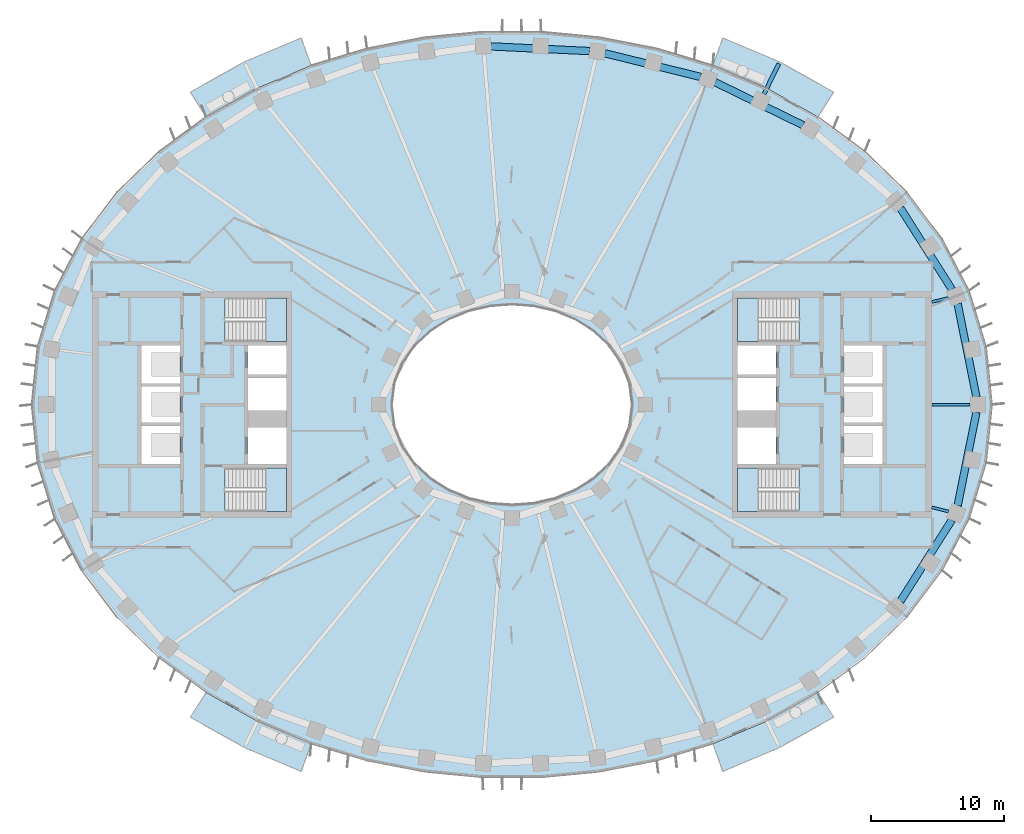
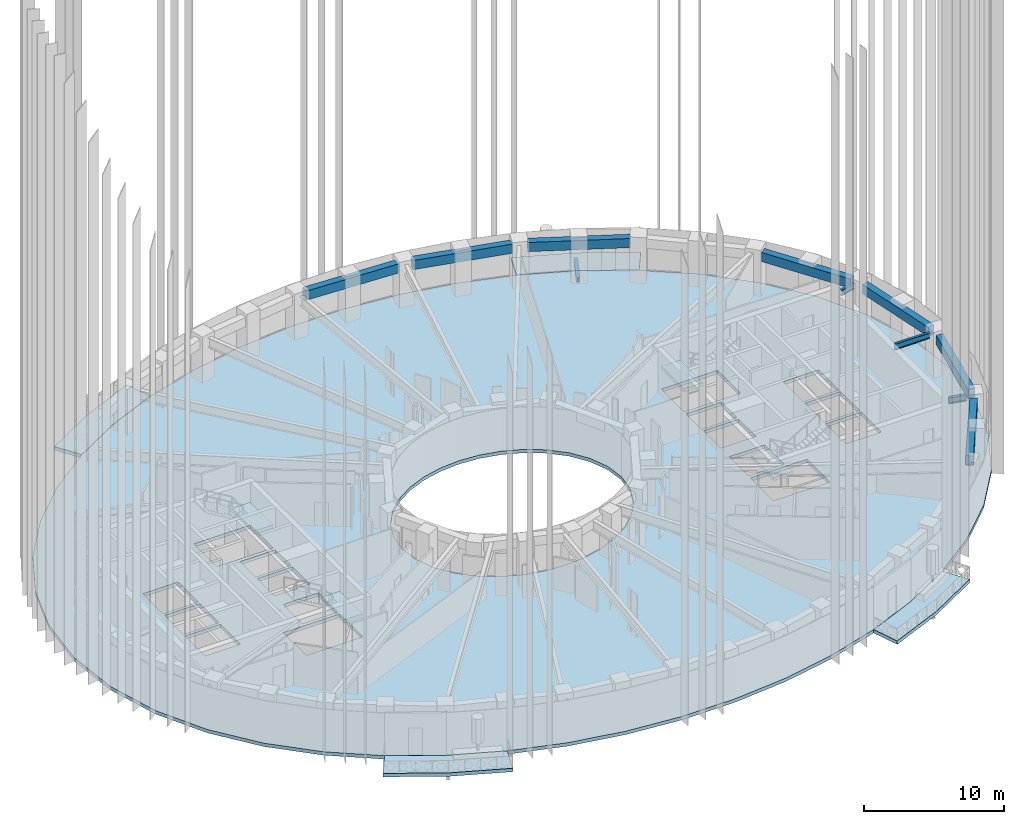
# One storey, part 2 of 19: 11 beams, 9 slabs, 4 elements without a shape of their own.
"""IFC4 building model written with IfcOpenShell, lengths in metres."""

from ifc_helpers import new_model, si_unit, direction, frame, origin, origin_2d, place, context, subcontext, project, spatial, polyline, rectangle, i_section, outline, extrude, material, layer, layer_set, material_profile, profile_set, type_object, element, aggregate, save


model = new_model("IFC4")

# Units and contexts
model_context = context("Model", 3, precision=1e-05, world=origin(), true_north=direction((0.0, 1.0)))
body_context = subcontext(model_context, "Body", "Model", "MODEL_VIEW")
ifc_project = project(units=[si_unit("LENGTHUNIT", "METRE"), si_unit("AREAUNIT", "SQUARE_METRE"), si_unit("VOLUMEUNIT", "CUBIC_METRE"), si_unit("PLANEANGLEUNIT", "RADIAN"), si_unit("MASSUNIT", "GRAM", prefix="KILO")], contexts=[model_context])

# Site, building, storey
site_placement = place(None, origin())
site = spatial("IfcSite", under=ifc_project, at=site_placement, CompositionType="ELEMENT")
building_placement = place(site_placement, origin())
building = spatial("IfcBuilding", under=site, at=building_placement, Name="Noorbagh Ring Tower", CompositionType="ELEMENT")
storey_placement = place(building_placement, frame((0.0, 0.0, 146.0)))
storey = spatial("IfcBuildingStorey", under=building, at=storey_placement, Name="L33", CompositionType="ELEMENT", Elevation=146.0)

# Beams
ifc_material_1 = material(Name="Steel S355", Category="steel")
ifc_material_profile_1 = material_profile(ifc_material_1, i_section(OverallWidth=0.300048828125, OverallDepth=0.39990234375, WebThickness=0.013427734375, FlangeThickness=0.02392578125, FilletRadius=0.027099609375, at=origin_2d()), Name="HEB400")
ifc_profile_set_1 = profile_set([ifc_material_profile_1], Name="Steel S355")
beam_type_1 = type_object("IfcBeamType", Name="STR-BALCONY-BRACKET-HEB400", PredefinedType="BEAM", material=ifc_profile_set_1)
beam_1_placement = place(storey_placement, frame((18.901123046875, 23.306396484375, -0.5), z_axis=(0.439229206399, 0.898375035409, 0.0), x_axis=(-0.898375035409, 0.439229206399, 0.0)))
element("IfcBeam", 1, at=beam_1_placement, inside=storey, type_object=beam_type_1, Name="Balcony bracket beam BN02", PredefinedType="BEAM", context=body_context, shape_type="SweptSolid", body=[
    extrude(i_section(OverallWidth=0.300048828125, OverallDepth=0.39990234375, WebThickness=0.013427734375, FlangeThickness=0.02392578125, FilletRadius=0.027099609375, at=origin_2d()), origin(), (0.0, 0.0, 1.0), 2.525146484375),
])
ifc_material_2 = material(Name="Steel S355", Category="steel")
ifc_material_profile_2 = material_profile(ifc_material_2, i_section(OverallWidth=0.199951171875, OverallDepth=0.5, WebThickness=0.01025390625, FlangeThickness=0.01611328125, FilletRadius=0.02099609375, at=origin_2d()), Name="IPE500")
ifc_profile_set_2 = profile_set([ifc_material_profile_2], Name="Steel S355")
beam_type_2 = type_object("IfcBeamType", Name="STR-RAD-IPE500", PredefinedType="BEAM", material=ifc_profile_set_2)
beam_2_placement = place(storey_placement, frame((34.36474609375, 0.0, 3.449951171875), z_axis=(-1.0, 0.0, 0.0), x_axis=(0.0, -1.0, 0.0)))
element("IfcBeam", 2, at=beam_2_placement, inside=storey, type_object=beam_type_2, Name="L33/bm/RD01", PredefinedType="BEAM", context=body_context, shape_type="SweptSolid", body=[
    extrude(i_section(OverallWidth=0.199951171875, OverallDepth=0.5, WebThickness=0.01025390625, FlangeThickness=0.01611328125, FilletRadius=0.02099609375, at=origin_2d()), origin(), (0.0, 0.0, 1.0), 2.884765625),
])
for number, where, z_axis, x_axis, name in (
    (3, (32.7353515625, 8.010009765625, 3.449951171875), (-0.971331161348, -0.237730467116, 0.0), (0.237730467116, -0.971331161348, 0.0), "L33/bm/RD03"),
    (4, (32.7353515625, -8.010009765625, 3.449951171875), (-0.971331161348, 0.237730467116, 0.0), (-0.237730467116, -0.971331161348, 0.0), "L33/bm/RD45"),
):
    element("IfcBeam", number, at=place(storey_placement, frame(where, z_axis=z_axis, x_axis=x_axis)), inside=storey, type_object=beam_type_2, Name=name, PredefinedType="BEAM", context=body_context, shape_type="SweptSolid", body=[
        extrude(i_section(OverallWidth=0.199951171875, OverallDepth=0.5, WebThickness=0.01025390625, FlangeThickness=0.01611328125, FilletRadius=0.02099609375, at=origin_2d()), origin(), (0.0, 0.0, 1.0), 1.2919921875),
    ])
ifc_material_3 = material(Name="Concrete C40/50", Category="concrete")
ifc_material_profile_3 = material_profile(ifc_material_3, rectangle(XDim=0.550048828125, YDim=0.800048828125, at=origin_2d()), Name="RC550x800")
ifc_profile_set_3 = profile_set([ifc_material_profile_3], Name="Concrete C40/50")
beam_type_3 = type_object("IfcBeamType", Name="STR-SB-RC550x800-C40-50", PredefinedType="BEAM", material=ifc_profile_set_3)
beam_3_placement = place(storey_placement, frame((34.827880859375, 0.580322265625, 3.300048828125), z_axis=(-0.19720917592, 0.980361433826, 0.0), x_axis=(-0.980361433826, -0.19720917592, 0.0)))
element("IfcBeam", 5, at=beam_3_placement, inside=storey, type_object=beam_type_3, Name="L33/bm/SP01", PredefinedType="BEAM", context=body_context, shape_type="SweptSolid", body=[
    extrude(rectangle(XDim=0.550048828125, YDim=0.800048828125, at=origin_2d()), origin(), (0.0, 0.0, 1.0), 7.12939453125),
])
beam_4_placement = place(storey_placement, frame((32.98974609375, 8.647216796875, 3.300048828125), z_axis=(-0.535190716377, 0.844731257326, 0.0), x_axis=(-0.844731257326, -0.535190716377, 0.0)))
element("IfcBeam", 6, at=beam_4_placement, inside=storey, type_object=beam_type_3, Name="L33/bm/SP03", PredefinedType="BEAM", context=body_context, shape_type="SweptSolid", body=[
    extrude(rectangle(XDim=0.550048828125, YDim=0.800048828125, at=origin_2d()), origin(), (0.0, 0.0, 1.0), 7.205810546875),
])
beam_5_placement = place(storey_placement, frame((21.837158203125, 20.95654296875, 3.300048828125), z_axis=(-0.898397175695, 0.439183918994, 0.0), x_axis=(-0.439183918994, -0.898397175695, 0.0)))
element("IfcBeam", 7, at=beam_5_placement, inside=storey, type_object=beam_type_3, Name="L33/bm/SP07", PredefinedType="BEAM", context=body_context, shape_type="SweptSolid", body=[
    extrude(rectangle(XDim=0.550048828125, YDim=0.800048828125, at=origin_2d()), origin(), (0.0, 0.0, 1.0), 7.35009765625),
])
beam_6_placement = place(storey_placement, frame((14.143310546875, 24.580810546875, 3.300048828125), z_axis=(-0.970832897369, 0.239757138341, 0.0), x_axis=(-0.239757138341, -0.970832897369, 0.0)))
element("IfcBeam", 8, at=beam_6_placement, inside=storey, type_object=beam_type_3, Name="L33/bm/SP09", PredefinedType="BEAM", context=body_context, shape_type="SweptSolid", body=[
    extrude(rectangle(XDim=0.550048828125, YDim=0.800048828125, at=origin_2d()), origin(), (0.0, 0.0, 1.0), 7.383544921875),
])
beam_7_placement = place(storey_placement, frame((5.8271484375, 26.5185546875, 3.300048828125), z_axis=(-0.9988682124, 0.047563581193, 0.0), x_axis=(-0.047563581193, -0.9988682124, 0.0)))
element("IfcBeam", 9, at=beam_7_placement, inside=storey, type_object=beam_type_3, Name="L33/bm/SP11", PredefinedType="BEAM", context=body_context, shape_type="SweptSolid", body=[
    extrude(rectangle(XDim=0.550048828125, YDim=0.800048828125, at=origin_2d()), origin(), (0.0, 0.0, 1.0), 7.396484375),
])
beam_8_placement = place(storey_placement, frame((29.13330078125, -14.734130859375, 3.300048828125), z_axis=(0.535190716377, 0.844731257326, 0.0), x_axis=(-0.844731257326, 0.535190716377, 0.0)))
element("IfcBeam", 10, at=beam_8_placement, inside=storey, type_object=beam_type_3, Name="L33/bm/SP43", PredefinedType="BEAM", context=body_context, shape_type="SweptSolid", body=[
    extrude(rectangle(XDim=0.550048828125, YDim=0.800048828125, at=origin_2d()), origin(), (0.0, 0.0, 1.0), 7.205810546875),
])
beam_9_placement = place(storey_placement, frame((33.421875, -7.56982421875, 3.300048828125), z_axis=(0.19720917592, 0.980361433826, 0.0), x_axis=(-0.980361433826, 0.19720917592, 0.0)))
element("IfcBeam", 11, at=beam_9_placement, inside=storey, type_object=beam_type_3, Name="L33/bm/SP45", PredefinedType="BEAM", context=body_context, shape_type="SweptSolid", body=[
    extrude(rectangle(XDim=0.550048828125, YDim=0.800048828125, at=origin_2d()), origin(), (0.0, 0.0, 1.0), 7.12939453125),
])

# Stair, slab
ifc_material_4 = material(Name="Concrete C40/50", Category="concrete")
stair_type = type_object("IfcStairType", Name="CORE-STAIR", PredefinedType="HALF_TURN_STAIR", material=ifc_material_4)
stair_1_placement = place(storey_placement, origin())
stair_1 = element("IfcStair", 12, at=stair_1_placement, inside=storey, type_object=stair_type, Name="L33 Exit stair ST1", PredefinedType="HALF_TURN_STAIR")
ifc_material_5 = material(Name="Concrete C40/50", Category="concrete")
ifc_layer_1 = layer(ifc_material_5, 0.300048828125)
ifc_layer_set_1 = layer_set([ifc_layer_1], Name="Concrete C40/50")
slab_type_1 = type_object("IfcSlabType", Name="CORE-STAIR-LANDING", PredefinedType="LANDING", material=ifc_layer_set_1)
slab_1_placement = place(storey_placement, frame((0.0, 0.0, 1.699951171875)))
slab_1 = element("IfcSlab", 13, at=slab_1_placement, type_object=slab_type_1, Name="ST1 landing 1", PredefinedType="LANDING", context=body_context, shape_type="SweptSolid", body=[
    extrude(outline(polyline([(-18.449951171875, 4.75), (-16.89990234375, 4.75), (-16.89990234375, 8.0), (-18.449951171875, 8.0), (-18.449951171875, 4.75)])), origin(), (0.0, 0.0, 1.0), 0.300048828125),
])
aggregate(stair_1, [slab_1])

stair_2_placement = place(storey_placement, origin())
stair_2 = element("IfcStair", 14, at=stair_2_placement, inside=storey, type_object=stair_type, Name="L33 Exit stair ST2", PredefinedType="HALF_TURN_STAIR")
slab_2_placement = place(storey_placement, frame((0.0, 0.0, 1.699951171875)))
slab_2 = element("IfcSlab", 15, at=slab_2_placement, type_object=slab_type_1, Name="ST2 landing 1", PredefinedType="LANDING", context=body_context, shape_type="SweptSolid", body=[
    extrude(outline(polyline([(-18.449951171875, -8.0), (-16.89990234375, -8.0), (-16.89990234375, -4.75), (-18.449951171875, -4.75), (-18.449951171875, -8.0)])), origin(), (0.0, 0.0, 1.0), 0.300048828125),
])
aggregate(stair_2, [slab_2])

stair_3_placement = place(storey_placement, origin())
stair_3 = element("IfcStair", 16, at=stair_3_placement, inside=storey, type_object=stair_type, Name="L33 Exit stair ST3", PredefinedType="HALF_TURN_STAIR")
slab_3_placement = place(storey_placement, frame((0.0, 0.0, 1.699951171875)))
slab_3 = element("IfcSlab", 17, at=slab_3_placement, type_object=slab_type_1, Name="ST3 landing 1", PredefinedType="LANDING", context=body_context, shape_type="SweptSolid", body=[
    extrude(outline(polyline([(18.449951171875, 8.0), (16.89990234375, 8.0), (16.89990234375, 4.75), (18.449951171875, 4.75), (18.449951171875, 8.0)])), origin(), (0.0, 0.0, 1.0), 0.300048828125),
])
aggregate(stair_3, [slab_3])

stair_4_placement = place(storey_placement, origin())
stair_4 = element("IfcStair", 18, at=stair_4_placement, inside=storey, type_object=stair_type, Name="L33 Exit stair ST4", PredefinedType="HALF_TURN_STAIR")
slab_4_placement = place(storey_placement, frame((0.0, 0.0, 1.699951171875)))
slab_4 = element("IfcSlab", 19, at=slab_4_placement, type_object=slab_type_1, Name="ST4 landing 1", PredefinedType="LANDING", context=body_context, shape_type="SweptSolid", body=[
    extrude(outline(polyline([(18.449951171875, -4.75), (16.89990234375, -4.75), (16.89990234375, -8.0), (18.449951171875, -8.0), (18.449951171875, -4.75)])), origin(), (0.0, 0.0, 1.0), 0.300048828125),
])
aggregate(stair_4, [slab_4])

# Slabs
ifc_material_6 = material(Name="Concrete C40/50", Category="concrete")
ifc_layer_2 = layer(ifc_material_6, 0.300048828125)
ifc_layer_set_2 = layer_set([ifc_layer_2], Name="Concrete C40/50")
slab_type_2 = type_object("IfcSlabType", Name="ENV-BALCONY DECK 300", PredefinedType="FLOOR", material=ifc_layer_set_2)
slab_5_placement = place(storey_placement, frame((0.0, 0.0, -0.300048828125)))
element("IfcSlab", 20, at=slab_5_placement, inside=storey, type_object=slab_type_2, Name="Tree balcony deck BN02", PredefinedType="FLOOR", context=body_context, shape_type="SweptSolid", body=[
    extrude(outline(polyline([(24.1279296875, 23.435791015625), (20.076171875, 25.709716796875), (15.810791015625, 27.50341796875), (15.0654296875, 25.430419921875), (19.108154296875, 23.730224609375), (22.9326171875, 21.583740234375), (24.1279296875, 23.435791015625)])), origin(), (0.0, 0.0, 1.0), 0.300048828125),
])
slab_6_placement = place(storey_placement, frame((0.0, 0.0, -0.300048828125)))
element("IfcSlab", 21, at=slab_6_placement, inside=storey, type_object=slab_type_2, Name="Tree balcony deck BN05", PredefinedType="FLOOR", context=body_context, shape_type="SweptSolid", body=[
    extrude(outline(polyline([(-15.810791015625, 27.50341796875), (-20.076171875, 25.709716796875), (-24.1279296875, 23.435791015625), (-22.9326171875, 21.583740234375), (-19.108154296875, 23.730224609375), (-15.0654296875, 25.430419921875), (-15.810791015625, 27.50341796875)])), origin(), (0.0, 0.0, 1.0), 0.300048828125),
])
slab_7_placement = place(storey_placement, frame((0.0, 0.0, -0.300048828125)))
element("IfcSlab", 22, at=slab_7_placement, inside=storey, type_object=slab_type_2, Name="Tree balcony deck BS02", PredefinedType="FLOOR", context=body_context, shape_type="SweptSolid", body=[
    extrude(outline(polyline([(-24.1279296875, -23.435791015625), (-20.076171875, -25.709716796875), (-15.810791015625, -27.50341796875), (-15.0654296875, -25.430419921875), (-19.108154296875, -23.730224609375), (-22.9326171875, -21.583740234375), (-24.1279296875, -23.435791015625)])), origin(), (0.0, 0.0, 1.0), 0.300048828125),
])
slab_8_placement = place(storey_placement, frame((0.0, 0.0, -0.300048828125)))
element("IfcSlab", 23, at=slab_8_placement, inside=storey, type_object=slab_type_2, Name="Tree balcony deck BS05", PredefinedType="FLOOR", context=body_context, shape_type="SweptSolid", body=[
    extrude(outline(polyline([(15.810791015625, -27.50341796875), (20.076171875, -25.709716796875), (24.1279296875, -23.435791015625), (22.9326171875, -21.583740234375), (19.108154296875, -23.730224609375), (15.0654296875, -25.430419921875), (15.810791015625, -27.50341796875)])), origin(), (0.0, 0.0, 1.0), 0.300048828125),
])
ifc_material_7 = material(Name="Concrete C40/50", Category="concrete")
ifc_layer_3 = layer(ifc_material_7, 0.300048828125)
ifc_layer_set_3 = layer_set([ifc_layer_3], Name="Concrete C40/50")
slab_type_3 = type_object("IfcSlabType", Name="STR-FLOOR-DECK-300", PredefinedType="FLOOR", material=ifc_layer_set_3)
slab_9_placement = place(storey_placement, frame((0.0, 0.0, -0.300048828125)))
element("IfcSlab", 24, at=slab_9_placement, inside=storey, type_object=slab_type_3, Name="L33/slab/1", PredefinedType="FLOOR", context=body_context, shape_type="SweptSolid", body=[
    extrude(outline(polyline([(36.0, 0.0), (35.56103515625, 4.358642578125), (34.281005859375, 8.548828125), (32.255126953125, 12.434814453125), (29.607666015625, 15.92822265625), (26.463134765625, 18.983154296875), (22.9326171875, 21.583740234375), (19.108154296875, 23.730224609375), (15.0654296875, 25.430419921875), (10.865234375, 26.6943359375), (6.5595703125, 27.53125), (2.193115234375, 27.947998046875), (-2.193115234375, 27.947998046875), (-6.5595703125, 27.53125), (-10.865234375, 26.6943359375), (-15.0654296875, 25.430419921875), (-19.108154296875, 23.730224609375), (-22.9326171875, 21.583740234375), (-26.463134765625, 18.983154296875), (-29.607666015625, 15.92822265625), (-32.255126953125, 12.434814453125), (-34.281005859375, 8.548828125), (-35.56103515625, 4.358642578125), (-36.0, 0.0), (-35.56103515625, -4.358642578125), (-34.281005859375, -8.548828125), (-32.255126953125, -12.434814453125), (-29.607666015625, -15.92822265625), (-26.463134765625, -18.983154296875), (-22.9326171875, -21.583740234375), (-19.108154296875, -23.730224609375), (-15.0654296875, -25.430419921875), (-10.865234375, -26.6943359375), (-6.5595703125, -27.53125), (-2.193115234375, -27.947998046875), (2.193115234375, -27.947998046875), (6.5595703125, -27.53125), (10.865234375, -26.6943359375), (15.0654296875, -25.430419921875), (19.108154296875, -23.730224609375), (22.9326171875, -21.583740234375), (26.463134765625, -18.983154296875), (29.607666015625, -15.92822265625), (32.255126953125, -12.434814453125), (34.281005859375, -8.548828125), (35.56103515625, -4.358642578125), (36.0, 0.0)]), holes=[polyline([(24.89990234375, 4.449951171875), (27.800048828125, 4.449951171875), (27.800048828125, 1.60009765625), (24.89990234375, 1.60009765625), (24.89990234375, 4.449951171875)]), polyline([(24.89990234375, 1.35009765625), (27.800048828125, 1.35009765625), (27.800048828125, -1.35009765625), (24.89990234375, -1.35009765625), (24.89990234375, 1.35009765625)]), polyline([(24.89990234375, -1.60009765625), (27.800048828125, -1.60009765625), (27.800048828125, -4.449951171875), (24.89990234375, -4.449951171875), (24.89990234375, -1.60009765625)]), polyline([(21.529541015625, -8.0), (16.89990234375, -8.0), (16.89990234375, -4.75), (21.529541015625, -4.75), (21.529541015625, -8.0)]), polyline([(16.89990234375, 4.75), (16.89990234375, 8.0), (21.529541015625, 8.0), (21.529541015625, 4.75), (16.89990234375, 4.75)]), polyline([(19.800048828125, 4.449951171875), (19.800048828125, 2.25), (16.89990234375, 2.25), (16.89990234375, 4.449951171875), (19.800048828125, 4.449951171875)]), polyline([(16.89990234375, 2.0), (19.800048828125, 2.0), (19.800048828125, -0.449951171875), (16.89990234375, -0.449951171875), (16.89990234375, 2.0)]), polyline([(16.89990234375, -1.699951171875), (19.800048828125, -1.699951171875), (19.800048828125, -4.449951171875), (16.89990234375, -4.449951171875), (16.89990234375, -1.699951171875)]), polyline([(4.697509765625, -6.3974609375), (3.196533203125, -7.010986328125), (1.6171875, -7.3779296875), (0.0, -7.5), (-1.6171875, -7.3779296875), (-3.196533203125, -7.010986328125), (-4.697509765625, -6.3974609375), (-6.071044921875, -5.53662109375), (-7.2587890625, -4.43408203125), (-8.1904296875, -3.10888671875), (-8.79150390625, -1.605224609375), (-9.0, 0.0), (-8.79150390625, 1.605224609375), (-8.1904296875, 3.10888671875), (-7.2587890625, 4.43408203125), (-6.071044921875, 5.53662109375), (-4.697509765625, 6.3974609375), (-3.196533203125, 7.010986328125), (-1.6171875, 7.3779296875), (0.0, 7.5), (1.6171875, 7.3779296875), (3.196533203125, 7.010986328125), (4.697509765625, 6.3974609375), (6.071044921875, 5.53662109375), (7.2587890625, 4.43408203125), (8.1904296875, 3.10888671875), (8.79150390625, 1.605224609375), (9.0, 0.0), (8.79150390625, -1.605224609375), (8.1904296875, -3.10888671875), (7.2587890625, -4.43408203125), (6.071044921875, -5.53662109375), (4.697509765625, -6.3974609375)]), polyline([(-16.89990234375, 2.25), (-19.800048828125, 2.25), (-19.800048828125, 4.449951171875), (-16.89990234375, 4.449951171875), (-16.89990234375, 2.25)]), polyline([(-16.89990234375, -0.449951171875), (-19.800048828125, -0.449951171875), (-19.800048828125, 2.0), (-16.89990234375, 2.0), (-16.89990234375, -0.449951171875)]), polyline([(-16.89990234375, -4.449951171875), (-19.800048828125, -4.449951171875), (-19.800048828125, -1.699951171875), (-16.89990234375, -1.699951171875), (-16.89990234375, -4.449951171875)]), polyline([(-21.529541015625, 8.0), (-16.89990234375, 8.0), (-16.89990234375, 4.75), (-21.529541015625, 4.75), (-21.529541015625, 8.0)]), polyline([(-21.529541015625, -4.75), (-16.89990234375, -4.75), (-16.89990234375, -8.0), (-21.529541015625, -8.0), (-21.529541015625, -4.75)]), polyline([(-24.89990234375, -4.449951171875), (-27.800048828125, -4.449951171875), (-27.800048828125, -1.60009765625), (-24.89990234375, -1.60009765625), (-24.89990234375, -4.449951171875)]), polyline([(-24.89990234375, 1.60009765625), (-27.800048828125, 1.60009765625), (-27.800048828125, 4.449951171875), (-24.89990234375, 4.449951171875), (-24.89990234375, 1.60009765625)]), polyline([(-24.89990234375, -1.35009765625), (-27.800048828125, -1.35009765625), (-27.800048828125, 1.35009765625), (-24.89990234375, 1.35009765625), (-24.89990234375, -1.35009765625)])]), origin(), (0.0, 0.0, 1.0), 0.300048828125),
])

save(model, "model.ifc")
